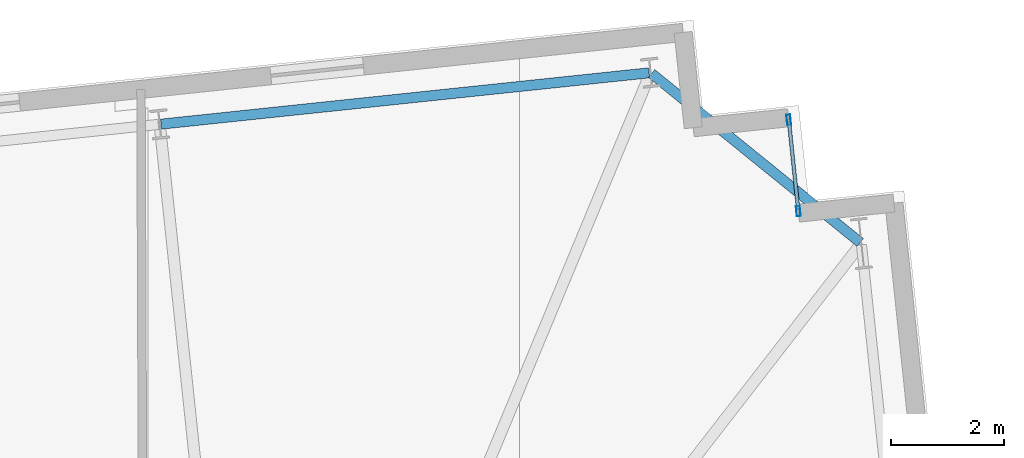
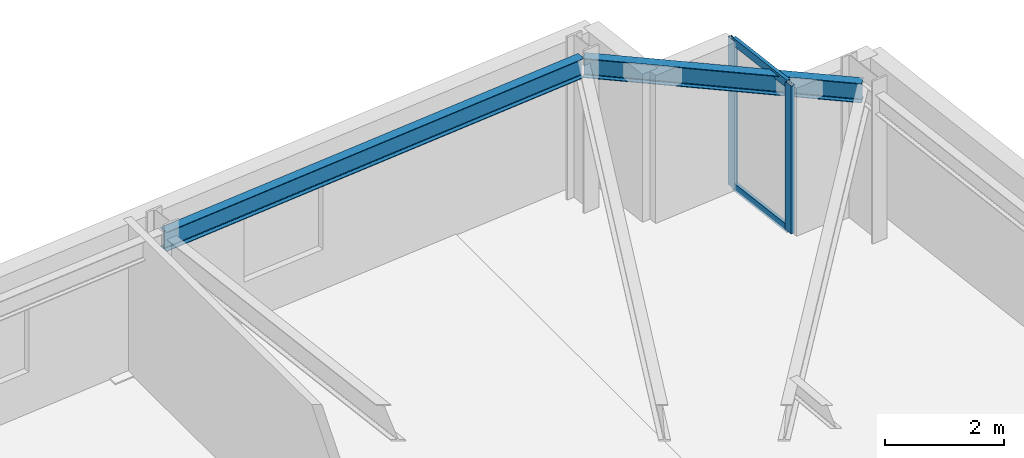
# One storey, part 10 of 19: 4 members, 2 beams, 1 element without a shape of its own.
"""IFC4 building model written with IfcOpenShell, lengths in metres."""

from ifc_helpers import new_model, si_unit, direction, frame, origin, origin_2d, place, context, subcontext, project, spatial, hollow_rectangle, i_section, extrude, material, layer, layer_set, material_profile, profile_set, type_object, element, aggregate, save


model = new_model("IFC4")

# Units and contexts
model_context = context("Model", 3, precision=1e-05, world=origin(), true_north=direction((0.0, 1.0)))
body_context = subcontext(model_context, "Body", "Model", "MODEL_VIEW")
ifc_project = project(units=[si_unit("LENGTHUNIT", "METRE"), si_unit("AREAUNIT", "SQUARE_METRE"), si_unit("VOLUMEUNIT", "CUBIC_METRE"), si_unit("PLANEANGLEUNIT", "RADIAN"), si_unit("MASSUNIT", "GRAM", prefix="KILO")], contexts=[model_context])

# Site, building, storey
site_placement = place(None, origin())
site = spatial("IfcSite", under=ifc_project, at=site_placement, CompositionType="ELEMENT")
building_placement = place(site_placement, origin())
building = spatial("IfcBuilding", under=site, at=building_placement, Name="Qobustan Lattice House", CompositionType="ELEMENT")
storey_placement = place(building_placement, frame((0.0, 0.0, 82.35009765625)))
storey = spatial("IfcBuildingStorey", under=building, at=storey_placement, Name="L22", CompositionType="ELEMENT", Elevation=82.35009765625)

# Beams
ifc_material_1 = material(Name="Steel S355", Category="steel")
ifc_material_profile_1 = material_profile(ifc_material_1, i_section(OverallWidth=0.179931640625, OverallDepth=0.39990234375, WebThickness=0.008544921875, FlangeThickness=0.013427734375, FilletRadius=0.02099609375, at=origin_2d()), Name="IPE400")
ifc_profile_set_1 = profile_set([ifc_material_profile_1], Name="Steel S355")
beam_type = type_object("IfcBeamType", Name="BM-SPD-IPE400", PredefinedType="SPANDREL", material=ifc_profile_set_1)
beam_1_placement = place(storey_placement, frame((29.536865234375, 19.484619140625, 2.844970703125), z_axis=(-0.777140911545, 0.629326627121, 0.0), x_axis=(-0.629326627121, -0.777140911545, 0.0)))
element("IfcBeam", 1, at=beam_1_placement, inside=storey, type_object=beam_type, Name="L22 perimeter spandrel E4-N1", PredefinedType="SPANDREL", context=body_context, shape_type="SweptSolid", body=[
    extrude(i_section(OverallWidth=0.179931640625, OverallDepth=0.39990234375, WebThickness=0.008544921875, FlangeThickness=0.013427734375, FilletRadius=0.02099609375, at=origin_2d()), origin(), (0.0, 0.0, 1.0), 4.758544921875),
])
beam_2_placement = place(storey_placement, frame((25.794677734375, 22.492431640625, 2.844970703125), z_axis=(-0.994521586424, -0.104531402636, 0.0), x_axis=(0.104531402636, -0.994521586424, 0.0)))
element("IfcBeam", 2, at=beam_2_placement, inside=storey, type_object=beam_type, Name="L22 perimeter spandrel N1-N2", PredefinedType="SPANDREL", context=body_context, shape_type="SweptSolid", body=[
    extrude(i_section(OverallWidth=0.179931640625, OverallDepth=0.39990234375, WebThickness=0.008544921875, FlangeThickness=0.013427734375, FilletRadius=0.02099609375, at=origin_2d()), origin(), (0.0, 0.0, 1.0), 8.699951171875),
])

# Curtain wall, members
ifc_material_2 = material(Name="Anodised aluminium and low-E glazing", Category="aluminium")
ifc_layer = layer(ifc_material_2, 0.219970703125)
ifc_layer_set = layer_set([ifc_layer], Name="Anodised aluminium and low-E glazing")
curtain_wall_type = type_object("IfcCurtainWallType", Name="CW-FAC-01", PredefinedType="USERDEFINED", material=ifc_layer_set)
curtain_wall_placement = place(storey_placement, origin())
curtain_wall = element("IfcCurtainWall", 3, at=curtain_wall_placement, inside=storey, type_object=curtain_wall_type, Name="L22 serrated corner faceted glazing 13", ObjectType="CURTAIN WALL", PredefinedType="USERDEFINED")
ifc_material_3 = material(Name="Anodised aluminium EN AW-6063 T6", Category="aluminium")
ifc_material_profile_2 = material_profile(ifc_material_3, hollow_rectangle(XDim=0.070068359375, YDim=0.179931640625, WallThickness=0.00439453125, at=origin_2d()), Name="CWM-180x70")
ifc_profile_set_2 = profile_set([ifc_material_profile_2], Name="Anodised aluminium EN AW-6063 T6")
member_type_1 = type_object("IfcMemberType", Name="CWM-STD-180", PredefinedType="MULLION", material=ifc_profile_set_2)
member_1_placement = place(storey_placement, frame((28.27001953125, 21.66162109375, 0.0), z_axis=(0.0, 0.0, 1.0), x_axis=(0.994521878892, 0.104528620025, 0.0)))
member_1 = element("IfcMember", 4, at=member_1_placement, type_object=member_type_1, Name="CW-F1 mullion 1", PredefinedType="MULLION", context=body_context, shape_type="SweptSolid", body=[
    extrude(hollow_rectangle(XDim=0.070068359375, YDim=0.179931640625, WallThickness=0.00439453125, at=origin_2d()), origin(), (0.0, 0.0, 1.0), 3.044921875),
])
member_2_placement = place(storey_placement, frame((28.4404296875, 20.04052734375, 0.0), z_axis=(0.0, 0.0, 1.0), x_axis=(0.994521878892, 0.104528620025, 0.0)))
member_2 = element("IfcMember", 5, at=member_2_placement, type_object=member_type_1, Name="CW-F1 mullion 2", PredefinedType="MULLION", context=body_context, shape_type="SweptSolid", body=[
    extrude(hollow_rectangle(XDim=0.070068359375, YDim=0.179931640625, WallThickness=0.00439453125, at=origin_2d()), origin(), (0.0, 0.0, 1.0), 3.044921875),
])
ifc_material_4 = material(Name="Anodised aluminium EN AW-6063 T6", Category="aluminium")
ifc_material_profile_3 = material_profile(ifc_material_4, hollow_rectangle(XDim=0.06494140625, YDim=0.159912109375, WallThickness=0.00390625, at=origin_2d()), Name="CWT-160x65")
ifc_profile_set_3 = profile_set([ifc_material_profile_3], Name="Anodised aluminium EN AW-6063 T6")
member_type_2 = type_object("IfcMemberType", Name="CWT-HOR-160", PredefinedType="USERDEFINED", material=ifc_profile_set_3)
member_3_placement = place(storey_placement, frame((28.273681640625, 21.626708984375, 0.032470703125), z_axis=(0.104538150424, -0.994520877159, 0.0), x_axis=(0.994520877159, 0.104538150424, 0.0)))
member_3 = element("IfcMember", 6, at=member_3_placement, type_object=member_type_2, Name="CW-F1 transom 1.1", ObjectType="TRANSOM", PredefinedType="USERDEFINED", context=body_context, shape_type="SweptSolid", body=[
    extrude(hollow_rectangle(XDim=0.06494140625, YDim=0.159912109375, WallThickness=0.00390625, at=origin_2d()), origin(), (0.0, 0.0, 1.0), 1.56005859375),
])
member_4_placement = place(storey_placement, frame((28.273681640625, 21.626708984375, 3.012451171875), z_axis=(0.104538150424, -0.994520877159, 0.0), x_axis=(0.994520877159, 0.104538150424, 0.0)))
member_4 = element("IfcMember", 7, at=member_4_placement, type_object=member_type_2, Name="CW-F1 transom 1.2", ObjectType="TRANSOM", PredefinedType="USERDEFINED", context=body_context, shape_type="SweptSolid", body=[
    extrude(hollow_rectangle(XDim=0.06494140625, YDim=0.159912109375, WallThickness=0.00390625, at=origin_2d()), origin(), (0.0, 0.0, 1.0), 1.56005859375),
])
aggregate(curtain_wall, [member_1, member_2, member_3, member_4])

save(model, "model.ifc")
